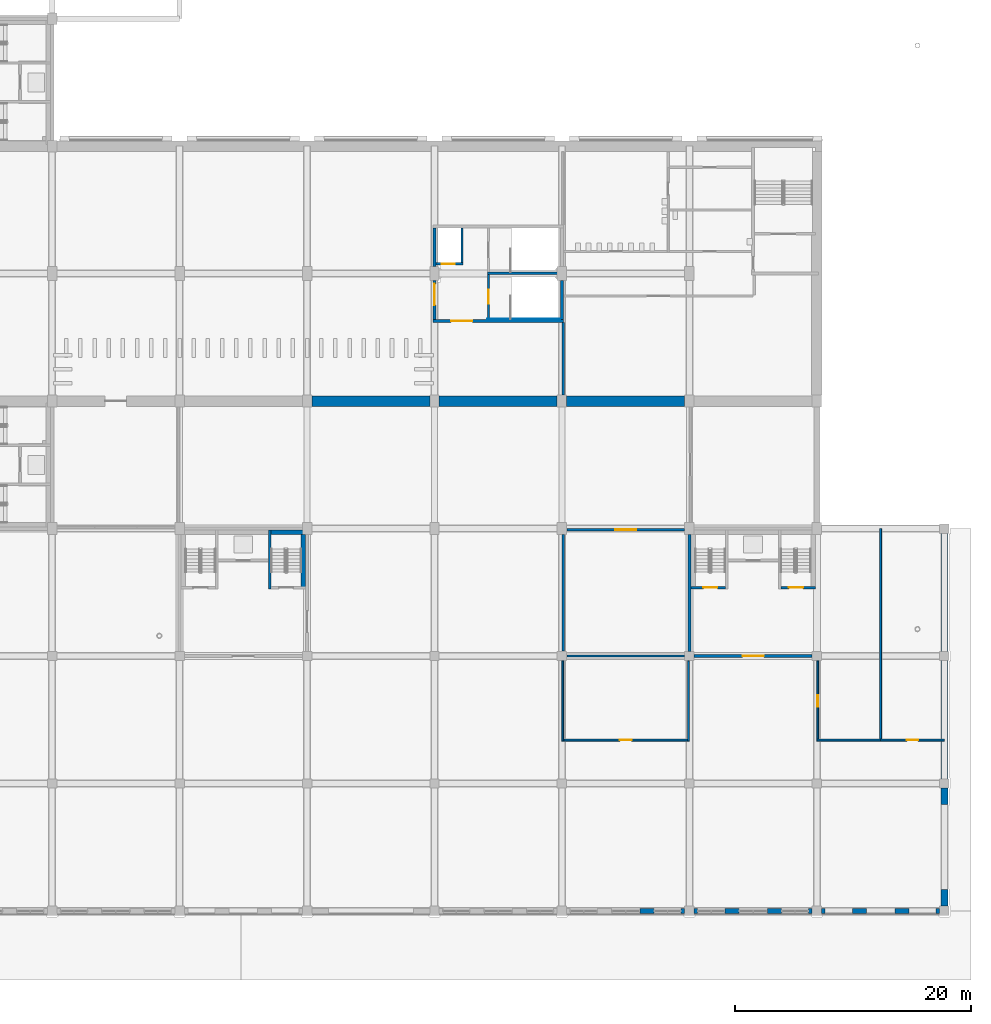
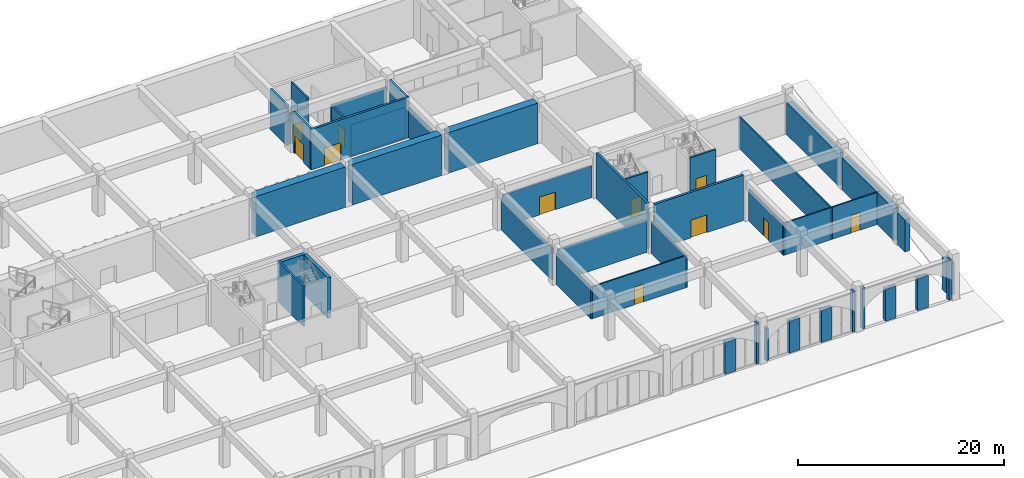
# One storey, part 33 of 101: 44 walls, 11 doors, 11 openings.
"""IFC4 building model written with IfcOpenShell, lengths in metres."""

from ifc_helpers import new_model, si_unit, direction, frame, frame_2d, origin, place, context, subcontext, project, spatial, rectangle, extrude, material, layer, layer_set, type_object, element, fill, save


model = new_model("IFC4")

# Units and contexts
model_context = context("Model", 3, precision=1e-05, world=origin(), true_north=direction((0.0, 1.0)))
body_context = subcontext(model_context, "Body", "Model", "MODEL_VIEW")
ifc_project = project(units=[si_unit("LENGTHUNIT", "METRE"), si_unit("AREAUNIT", "SQUARE_METRE"), si_unit("VOLUMEUNIT", "CUBIC_METRE"), si_unit("PLANEANGLEUNIT", "RADIAN"), si_unit("MASSUNIT", "GRAM", prefix="KILO")], contexts=[model_context])

# Site, building, storey
site_placement = place(None, origin())
site = spatial("IfcSite", under=ifc_project, at=site_placement, CompositionType="ELEMENT")
building_placement = place(site_placement, origin())
building = spatial("IfcBuilding", under=site, at=building_placement, Name="Magnolia Steps Interchange", CompositionType="ELEMENT")
storey_placement = place(building_placement, frame((0.0, 0.0, -5.39990234375)))
storey = spatial("IfcBuildingStorey", under=building, at=storey_placement, Name="B1", CompositionType="ELEMENT", Elevation=-5.39990234375)

# Walls
ifc_material_1 = material(Name="Concrete C40", Category="concrete")
ifc_layer_1 = layer(ifc_material_1, 0.449951171875)
ifc_layer_set_1 = layer_set([ifc_layer_1], Name="Concrete C40 arcade wall 450")
wall_type_1 = type_object("IfcWallType", Name="Concrete C40 arcade wall 450", PredefinedType="SOLIDWALL", material=ifc_layer_set_1)
wall_1_placement = place(storey_placement, frame((167.800048828125, 10.0, 0.0), z_axis=(0.0, 0.0, 1.0), x_axis=(1.0, 0.0, 0.0)))
element("IfcWall", 1, at=wall_1_placement, inside=storey, type_object=wall_type_1, Name="Street arcade pier 59", PredefinedType="SOLIDWALL", context=body_context, shape_type="SweptSolid", body=[
    extrude(rectangle(XDim=1.199951171875, YDim=0.449951171875, at=frame_2d((0.60009765625, 0.0))), origin(), (0.0, 0.0, 1.0), 3.7998046875),
])
wall_2_placement = place(storey_placement, frame((171.300048828125, 10.0, 0.0), z_axis=(0.0, 0.0, 1.0), x_axis=(1.0, 0.0, 0.0)))
element("IfcWall", 2, at=wall_2_placement, inside=storey, type_object=wall_type_1, Name="Street arcade pier 61", PredefinedType="SOLIDWALL", context=body_context, shape_type="SweptSolid", body=[
    extrude(rectangle(XDim=0.300048828125, YDim=0.449951171875, at=frame_2d((0.14990234375, 0.0))), origin(), (0.0, 0.0, 1.0), 4.7998046875),
])
wall_3_placement = place(storey_placement, frame((172.39990234375, 10.0, 0.0), z_axis=(0.0, 0.0, 1.0), x_axis=(1.0, 0.0, 0.0)))
element("IfcWall", 3, at=wall_3_placement, inside=storey, type_object=wall_type_1, Name="Street arcade pier 61", PredefinedType="SOLIDWALL", context=body_context, shape_type="SweptSolid", body=[
    extrude(rectangle(XDim=0.300048828125, YDim=0.449951171875, at=frame_2d((0.14990234375, 0.0))), origin(), (0.0, 0.0, 1.0), 3.7998046875),
])
for number, where, z_axis, x_axis, name in (
    (4, (175.0, 10.0, 0.0), (0.0, 0.0, 1.0), (1.0, 0.0, 0.0), "Street arcade pier 63"),
    (5, (178.60009765625, 10.0, 0.0), (0.0, 0.0, 1.0), (1.0, 0.0, 0.0), "Street arcade pier 65"),
):
    element("IfcWall", number, at=place(storey_placement, frame(where, z_axis=z_axis, x_axis=x_axis)), inside=storey, type_object=wall_type_1, Name=name, PredefinedType="SOLIDWALL", context=body_context, shape_type="SweptSolid", body=[
        extrude(rectangle(XDim=1.199951171875, YDim=0.449951171875, at=frame_2d((0.60009765625, 0.0))), origin(), (0.0, 0.0, 1.0), 3.7998046875),
    ])
wall_4_placement = place(storey_placement, frame((182.10009765625, 10.0, 0.0), z_axis=(0.0, 0.0, 1.0), x_axis=(1.0, 0.0, 0.0)))
element("IfcWall", 6, at=wall_4_placement, inside=storey, type_object=wall_type_1, Name="Street arcade pier 67", PredefinedType="SOLIDWALL", context=body_context, shape_type="SweptSolid", body=[
    extrude(rectangle(XDim=0.2998046875, YDim=0.449951171875, at=frame_2d((0.14990234375, 0.0))), origin(), (0.0, 0.0, 1.0), 4.7998046875),
])
wall_5_placement = place(storey_placement, frame((183.199951171875, 10.0, 0.0), z_axis=(0.0, 0.0, 1.0), x_axis=(1.0, 0.0, 0.0)))
element("IfcWall", 7, at=wall_5_placement, inside=storey, type_object=wall_type_1, Name="Street arcade pier 67", PredefinedType="SOLIDWALL", context=body_context, shape_type="SweptSolid", body=[
    extrude(rectangle(XDim=0.300048828125, YDim=0.449951171875, at=frame_2d((0.14990234375, 0.0))), origin(), (0.0, 0.0, 1.0), 4.7998046875),
])
wall_6_placement = place(storey_placement, frame((185.800048828125, 10.0, 0.0), z_axis=(0.0, 0.0, 1.0), x_axis=(1.0, 0.0, 0.0)))
element("IfcWall", 8, at=wall_6_placement, inside=storey, type_object=wall_type_1, Name="Street arcade pier 69", PredefinedType="SOLIDWALL", context=body_context, shape_type="SweptSolid", body=[
    extrude(rectangle(XDim=1.199951171875, YDim=0.449951171875, at=frame_2d((0.60009765625, 0.0))), origin(), (0.0, 0.0, 1.0), 3.7998046875),
])
wall_7_placement = place(storey_placement, frame((189.39990234375, 10.0, 0.0), z_axis=(0.0, 0.0, 1.0), x_axis=(1.0, 0.0, 0.0)))
element("IfcWall", 9, at=wall_7_placement, inside=storey, type_object=wall_type_1, Name="Street arcade pier 71", PredefinedType="SOLIDWALL", context=body_context, shape_type="SweptSolid", body=[
    extrude(rectangle(XDim=1.2001953125, YDim=0.449951171875, at=frame_2d((0.60009765625, 0.0))), origin(), (0.0, 0.0, 1.0), 3.7998046875),
])
wall_8_placement = place(storey_placement, frame((192.89990234375, 10.0, 0.0), z_axis=(0.0, 0.0, 1.0), x_axis=(1.0, 0.0, 0.0)))
element("IfcWall", 10, at=wall_8_placement, inside=storey, type_object=wall_type_1, Name="Street arcade pier 73", PredefinedType="SOLIDWALL", context=body_context, shape_type="SweptSolid", body=[
    extrude(rectangle(XDim=0.300048828125, YDim=0.449951171875, at=frame_2d((0.14990234375, 0.0))), origin(), (0.0, 0.0, 1.0), 4.7998046875),
])
ifc_material_2 = material(Name="Concrete C40", Category="concrete")
ifc_layer_2 = layer(ifc_material_2, 0.60009765625)
ifc_layer_set_2 = layer_set([ifc_layer_2], Name="Concrete C40 deep retaining wall 600")
wall_type_2 = type_object("IfcWallType", Name="Concrete C40 deep retaining wall 600", PredefinedType="SOLIDWALL", material=ifc_layer_set_2)
wall_9_placement = place(storey_placement, frame((193.60009765625, 10.39990234375, 0.0), z_axis=(0.0, 0.0, 1.0), x_axis=(0.0, 1.0, 0.0)))
element("IfcWall", 11, at=wall_9_placement, inside=storey, type_object=wall_type_2, Name="East wall pier 1", PredefinedType="SOLIDWALL", context=body_context, shape_type="SweptSolid", body=[
    extrude(rectangle(XDim=1.400146484375, YDim=0.60009765625, at=frame_2d((0.7001953125, 0.0))), origin(), (0.0, 0.0, 1.0), 3.7998046875),
])
wall_10_placement = place(storey_placement, frame((193.60009765625, 19.0, 0.0), z_axis=(0.0, 0.0, 1.0), x_axis=(0.0, 1.0, 0.0)))
element("IfcWall", 12, at=wall_10_placement, inside=storey, type_object=wall_type_2, Name="East wall pier 3", PredefinedType="SOLIDWALL", context=body_context, shape_type="SweptSolid", body=[
    extrude(rectangle(XDim=1.39990234375, YDim=0.60009765625, at=frame_2d((0.699951171875, 0.0))), origin(), (0.0, 0.0, 1.0), 3.7998046875),
])
for number, where, z_axis, x_axis, name in (
    (13, (193.60009765625, 21.199951171875, 0.0), (0.0, 0.0, 1.0), (0.0, 1.0, 0.0), "East wall pier 3"),
    (14, (193.60009765625, 32.0, 0.0), (0.0, 0.0, 1.0), (0.0, 1.0, 0.0), "East wall pier 3"),
):
    element("IfcWall", number, at=place(storey_placement, frame(where, z_axis=z_axis, x_axis=x_axis)), inside=storey, type_object=wall_type_2, Name=name, PredefinedType="SOLIDWALL", context=body_context, shape_type="SweptSolid", body=[
        extrude(rectangle(XDim=10.0, YDim=0.60009765625, at=frame_2d((5.0, 0.0))), origin(), (0.0, 0.0, 1.0), 3.7998046875),
    ])
ifc_material_3 = material(Name="Concrete C35", Category="concrete")
ifc_layer_3 = layer(ifc_material_3, 0.199951171875)
ifc_layer_set_3 = layer_set([ifc_layer_3], Name="Core enclosure wall 200")
wall_type_3 = type_object("IfcWallType", Name="Core enclosure wall 200", PredefinedType="SOLIDWALL", material=ifc_layer_set_3)
wall_11_placement = place(storey_placement, frame((154.875, 64.02490234375, 0.0), z_axis=(0.0, 0.0, 1.0), x_axis=(1.0, 0.0, 0.0)))
element("IfcWall", 15, at=wall_11_placement, inside=storey, type_object=wall_type_3, Name="B1 PC3 enclosure wall", PredefinedType="SOLIDWALL", context=body_context, shape_type="SweptSolid", body=[
    extrude(rectangle(XDim=6.199951171875, YDim=0.199951171875, at=frame_2d((3.10009765625, 0.0))), origin(), (0.0, 0.0, 1.0), 3.599853515625),
])

# Wall, opening, door
wall_12_placement = place(storey_placement, frame((154.97509765625, 63.925048828125, 0.0), z_axis=(0.0, 0.0, 1.0), x_axis=(0.0, -1.0, 0.0)))
wall_12 = element("IfcWall", 16, at=wall_12_placement, inside=storey, type_object=wall_type_3, Name="B1 PC3 enclosure wall", PredefinedType="SOLIDWALL", context=body_context, shape_type="SweptSolid", body=[
    extrude(rectangle(XDim=3.800048828125, YDim=0.199951171875, at=frame_2d((1.89990234375, 0.0))), origin(), (0.0, 0.0, 1.0), 3.599853515625),
])
opening_1_placement = place(wall_12_placement, frame((1.27490234375, 0.0, 0.0)))
opening_1 = element("IfcOpeningElement", 17, at=opening_1_placement, cuts=wall_12, Name="Opening D-PC3-B1-2", PredefinedType="OPENING", context=body_context, shape_type="SweptSolid", body=[
    extrude(rectangle(XDim=1.199951171875, YDim=2.10009765625, at=frame_2d((0.60009765625, 1.050048828125))), frame((0.0, 0.10986328125, 0.0), z_axis=(0.0, -1.0, 0.0), x_axis=(1.0, 0.0, 0.0)), (0.0, 0.0, 1.0), 0.219970703125),
])
ifc_material_4 = material(Name="Painted steel", Category="steel")
door_type_1 = type_object("IfcDoorType", Name="Stair fire door 1200x2100", OperationType="NOTDEFINED", PredefinedType="DOOR", material=ifc_material_4)
door_1_placement = place(opening_1_placement, frame((1.199951171875, 0.0, 0.0), z_axis=(0.0, 0.0, 1.0), x_axis=(-1.0, 0.0, 0.0)))
door_1 = element("IfcDoor", 18, at=door_1_placement, inside=storey, type_object=door_type_1, Name="Stair door ST14 B1", OperationType="SINGLE_SWING_RIGHT", OverallHeight=2.10009765625, OverallWidth=1.199951171875, PredefinedType="DOOR", context=body_context, shape_type="SweptSolid", body=[
    extrude(rectangle(XDim=1.199951171875, YDim=2.10009765625, at=frame_2d((0.60009765625, 1.050048828125))), frame((0.0, 0.02490234375, 0.0), z_axis=(0.0, -1.0, 0.0), x_axis=(1.0, 0.0, 0.0)), (0.0, 0.0, 1.0), 0.050048828125),
])
fill(opening_1, door_1)

# Wall
wall_13_placement = place(storey_placement, frame((152.72509765625, 67.875, 0.0), z_axis=(0.0, 0.0, 1.0), x_axis=(0.0, -1.0, 0.0)))
element("IfcWall", 19, at=wall_13_placement, inside=storey, type_object=wall_type_3, Name="B1 PC3 enclosure wall", PredefinedType="SOLIDWALL", context=body_context, shape_type="SweptSolid", body=[
    extrude(rectangle(XDim=3.14990234375, YDim=0.199951171875, at=frame_2d((1.574951171875, 0.0))), origin(), (0.0, 0.0, 1.0), 4.7998046875),
])

# Wall, opening, door
wall_14_placement = place(storey_placement, frame((150.52490234375, 64.824951171875, 0.0), z_axis=(0.0, 0.0, 1.0), x_axis=(1.0, 0.0, 0.0)))
wall_14 = element("IfcWall", 20, at=wall_14_placement, inside=storey, type_object=wall_type_3, Name="B1 PC3 enclosure wall", PredefinedType="SOLIDWALL", context=body_context, shape_type="SweptSolid", body=[
    extrude(rectangle(XDim=2.300048828125, YDim=0.199951171875, at=frame_2d((1.14990234375, 0.0))), origin(), (0.0, 0.0, 1.0), 3.599853515625),
])
opening_2_placement = place(wall_14_placement, frame((0.5, 0.0, 0.0)))
opening_2 = element("IfcOpeningElement", 21, at=opening_2_placement, cuts=wall_14, Name="Opening LD", PredefinedType="OPENING", context=body_context, shape_type="SweptSolid", body=[
    extrude(rectangle(XDim=1.10009765625, YDim=2.10009765625, at=frame_2d((0.550048828125, 1.050048828125))), frame((0.0, 0.10986328125, 0.0), z_axis=(0.0, -1.0, 0.0), x_axis=(1.0, 0.0, 0.0)), (0.0, 0.0, 1.0), 0.219970703125),
])
ifc_material_5 = material(Name="Stainless steel grade 304", Category="steel")
door_type_2 = type_object("IfcDoorType", Name="Lift landing door 1100x2100", OperationType="DOUBLE_DOOR_SLIDING", PredefinedType="DOOR", material=ifc_material_5)
door_2_placement = place(opening_2_placement, frame((1.10009765625, 0.0, 0.0), z_axis=(0.0, 0.0, 1.0), x_axis=(-1.0, 0.0, 0.0)))
door_2 = element("IfcDoor", 22, at=door_2_placement, inside=storey, type_object=door_type_2, Name="Lift landing door LF7 B1", OperationType="DOUBLE_DOOR_SLIDING", OverallHeight=2.10009765625, OverallWidth=1.10009765625, PredefinedType="DOOR", context=body_context, shape_type="SweptSolid", body=[
    extrude(rectangle(XDim=1.10009765625, YDim=2.10009765625, at=frame_2d((0.550048828125, 1.050048828125))), frame((0.0, 0.02490234375, 0.0), z_axis=(0.0, -1.0, 0.0), x_axis=(1.0, 0.0, 0.0)), (0.0, 0.0, 1.0), 0.050048828125),
])
fill(opening_2, door_2)

# Walls
wall_15_placement = place(storey_placement, frame((154.875, 60.14990234375, 0.0), z_axis=(0.0, 0.0, 1.0), x_axis=(1.0, 0.0, 0.0)))
element("IfcWall", 23, at=wall_15_placement, inside=storey, type_object=wall_type_3, Name="B1 PC3 enclosure wall", PredefinedType="SOLIDWALL", context=body_context, shape_type="SweptSolid", body=[
    extrude(rectangle(XDim=6.199951171875, YDim=0.050048828125, at=frame_2d((3.10009765625, 0.0))), origin(), (0.0, 0.0, 1.0), 3.599853515625),
])
wall_16_placement = place(storey_placement, frame((136.449951171875, 37.300048828125, 0.0), z_axis=(0.0, 0.0, 1.0), x_axis=(0.0, 1.0, 0.0)))
element("IfcWall", 24, at=wall_16_placement, inside=storey, type_object=wall_type_3, Name="B1 BC3 enclosure wall", PredefinedType="SOLIDWALL", context=body_context, shape_type="SweptSolid", body=[
    extrude(rectangle(XDim=4.974853515625, YDim=0.199951171875, at=frame_2d((2.4873046875, 0.0))), origin(), (0.0, 0.0, 1.0), 4.7998046875),
])

# Wall, opening, door
wall_17_placement = place(storey_placement, frame((172.125, 37.39990234375, 0.0), z_axis=(0.0, 0.0, 1.0), x_axis=(1.0, 0.0, 0.0)))
wall_17 = element("IfcWall", 25, at=wall_17_placement, inside=storey, type_object=wall_type_3, Name="B1 BC4 enclosure wall", PredefinedType="SOLIDWALL", context=body_context, shape_type="SweptSolid", body=[
    extrude(rectangle(XDim=2.925048828125, YDim=0.199951171875, at=frame_2d((1.46240234375, 0.0))), origin(), (0.0, 0.0, 1.0), 4.7998046875),
])
opening_3_placement = place(wall_17_placement, frame((1.050048828125, 0.0, 0.0)))
opening_3 = element("IfcOpeningElement", 26, at=opening_3_placement, cuts=wall_17, Name="Opening D-BC4-B1-1", PredefinedType="OPENING", context=body_context, shape_type="SweptSolid", body=[
    extrude(rectangle(XDim=1.199951171875, YDim=2.10009765625, at=frame_2d((0.60009765625, 1.050048828125))), frame((0.0, 0.10986328125, 0.0), z_axis=(0.0, -1.0, 0.0), x_axis=(1.0, 0.0, 0.0)), (0.0, 0.0, 1.0), 0.219970703125),
])
door_3_placement = place(opening_3_placement, frame((1.199951171875, 0.0, 0.0), z_axis=(0.0, 0.0, 1.0), x_axis=(-1.0, 0.0, 0.0)))
door_3 = element("IfcDoor", 27, at=door_3_placement, inside=storey, type_object=door_type_1, Name="Stair door ST23 B1", OperationType="SINGLE_SWING_LEFT", OverallHeight=2.10009765625, OverallWidth=1.199951171875, PredefinedType="DOOR", context=body_context, shape_type="SweptSolid", body=[
    extrude(rectangle(XDim=1.199951171875, YDim=2.10009765625, at=frame_2d((0.60009765625, 1.050048828125))), frame((0.0, 0.02490234375, 0.0), z_axis=(0.0, -1.0, 0.0), x_axis=(1.0, 0.0, 0.0)), (0.0, 0.0, 1.0), 0.050048828125),
])
fill(opening_3, door_3)

wall_18_placement = place(storey_placement, frame((179.75, 37.39990234375, 0.0), z_axis=(0.0, 0.0, 1.0), x_axis=(1.0, 0.0, 0.0)))
wall_18 = element("IfcWall", 28, at=wall_18_placement, inside=storey, type_object=wall_type_3, Name="B1 BC4 enclosure wall", PredefinedType="SOLIDWALL", context=body_context, shape_type="SweptSolid", body=[
    extrude(rectangle(XDim=2.925048828125, YDim=0.199951171875, at=frame_2d((1.46240234375, 0.0))), origin(), (0.0, 0.0, 1.0), 4.7998046875),
])
opening_4_placement = place(wall_18_placement, frame((0.675048828125, 0.0, 0.0)))
opening_4 = element("IfcOpeningElement", 29, at=opening_4_placement, cuts=wall_18, Name="Opening D-BC4-B1-2", PredefinedType="OPENING", context=body_context, shape_type="SweptSolid", body=[
    extrude(rectangle(XDim=1.199951171875, YDim=2.10009765625, at=frame_2d((0.60009765625, 1.050048828125))), frame((0.0, 0.10986328125, 0.0), z_axis=(0.0, -1.0, 0.0), x_axis=(1.0, 0.0, 0.0)), (0.0, 0.0, 1.0), 0.219970703125),
])
door_4_placement = place(opening_4_placement, frame((1.199951171875, 0.0, 0.0), z_axis=(0.0, 0.0, 1.0), x_axis=(-1.0, 0.0, 0.0)))
door_4 = element("IfcDoor", 30, at=door_4_placement, inside=storey, type_object=door_type_1, Name="Stair door ST24 B1", OperationType="SINGLE_SWING_RIGHT", OverallHeight=2.10009765625, OverallWidth=1.199951171875, PredefinedType="DOOR", context=body_context, shape_type="SweptSolid", body=[
    extrude(rectangle(XDim=1.199951171875, YDim=2.10009765625, at=frame_2d((0.60009765625, 1.050048828125))), frame((0.0, 0.02490234375, 0.0), z_axis=(0.0, -1.0, 0.0), x_axis=(1.0, 0.0, 0.0)), (0.0, 0.0, 1.0), 0.050048828125),
])
fill(opening_4, door_4)

# Walls
ifc_material_6 = material(Name="Concrete C35", Category="concrete")
ifc_layer_4 = layer(ifc_material_6, 0.375)
ifc_layer_set_4 = layer_set([ifc_layer_4], Name="Core lining wall 375")
wall_type_4 = type_object("IfcWallType", Name="Core lining wall 375", PredefinedType="SOLIDWALL", material=ifc_layer_set_4)
wall_19_placement = place(storey_placement, frame((139.28759765625, 37.300048828125, 0.0), z_axis=(0.0, 0.0, 1.0), x_axis=(0.0, 1.0, 0.0)))
element("IfcWall", 31, at=wall_19_placement, inside=storey, type_object=wall_type_4, Name="B1 BC3 stair lining wall", PredefinedType="SOLIDWALL", context=body_context, shape_type="SweptSolid", body=[
    extrude(rectangle(XDim=4.974853515625, YDim=0.375, at=frame_2d((2.4873046875, 0.0))), origin(), (0.0, 0.0, 1.0), 4.7998046875),
])
wall_20_placement = place(storey_placement, frame((136.550048828125, 42.08740234375, 0.0), z_axis=(0.0, 0.0, 1.0), x_axis=(1.0, 0.0, 0.0)))
element("IfcWall", 32, at=wall_20_placement, inside=storey, type_object=wall_type_4, Name="B1 BC3 stair lining wall", PredefinedType="SOLIDWALL", context=body_context, shape_type="SweptSolid", body=[
    extrude(rectangle(XDim=2.925048828125, YDim=0.375, at=frame_2d((1.46240234375, 0.0))), origin(), (0.0, 0.0, 1.0), 4.7998046875),
])

# Wall, opening, door
ifc_material_7 = material(Name="Concrete C40", Category="concrete")
ifc_layer_5 = layer(ifc_material_7, 0.25)
ifc_layer_set_5 = layer_set([ifc_layer_5], Name="Core wall 250")
wall_type_5 = type_object("IfcWallType", Name="Core wall 250", PredefinedType="SOLIDWALL", material=ifc_layer_set_5)
wall_21_placement = place(storey_placement, frame((150.27490234375, 60.0, 0.0), z_axis=(0.0, 0.0, 1.0), x_axis=(1.0, 0.0, 0.0)))
wall_21 = element("IfcWall", 33, at=wall_21_placement, inside=storey, type_object=wall_type_5, Name="Core wall PC3", PredefinedType="SOLIDWALL", context=body_context, shape_type="SweptSolid", body=[
    extrude(rectangle(XDim=11.050048828125, YDim=0.25, at=frame_2d((5.52490234375, 0.0))), origin(), (0.0, 0.0, 1.0), 4.7998046875),
])
opening_5_placement = place(wall_21_placement, frame((1.52490234375, 0.0, 0.0)))
opening_5 = element("IfcOpeningElement", 34, at=opening_5_placement, cuts=wall_21, Name="Opening D-PC3-B1-4", PredefinedType="OPENING", context=body_context, shape_type="SweptSolid", body=[
    extrude(rectangle(XDim=1.800048828125, YDim=2.10009765625, at=frame_2d((0.89990234375, 1.050048828125))), frame((0.0, 0.135009765625, 0.0), z_axis=(0.0, -1.0, 0.0), x_axis=(1.0, 0.0, 0.0)), (0.0, 0.0, 1.0), 0.27001953125),
])
ifc_material_8 = material(Name="Timber and glass", Category="wood")
door_type_3 = type_object("IfcDoorType", Name="Core entrance door pair 1800x2100", OperationType="DOUBLE_DOOR_DOUBLE_SWING", PredefinedType="DOOR", material=ifc_material_8)
door_5_placement = place(opening_5_placement, frame((1.800048828125, 0.0, 0.0), z_axis=(0.0, 0.0, 1.0), x_axis=(-1.0, 0.0, 0.0)))
door_5 = element("IfcDoor", 35, at=door_5_placement, inside=storey, type_object=door_type_3, Name="Core entrance door PC3 B1", OperationType="DOUBLE_DOOR_DOUBLE_SWING", OverallHeight=2.10009765625, OverallWidth=1.800048828125, PredefinedType="DOOR", context=body_context, shape_type="SweptSolid", body=[
    extrude(rectangle(XDim=1.800048828125, YDim=2.10009765625, at=frame_2d((0.89990234375, 1.050048828125))), frame((0.0, 0.02490234375, 0.0), z_axis=(0.0, -1.0, 0.0), x_axis=(1.0, 0.0, 0.0)), (0.0, 0.0, 1.0), 0.050048828125),
])
fill(opening_5, door_5)

# Walls
for number, where, z_axis, x_axis, name in (
    (36, (161.199951171875, 60.125, 0.0), (0.0, 0.0, 1.0), (0.0, 1.0, 0.0), "Core wall PC3"),
    (37, (150.39990234375, 67.875, 0.0), (0.0, 0.0, 1.0), (0.0, -1.0, 0.0), "Core wall PC3"),
):
    element("IfcWall", number, at=place(storey_placement, frame(where, z_axis=z_axis, x_axis=x_axis)), inside=storey, type_object=wall_type_5, Name=name, PredefinedType="SOLIDWALL", context=body_context, shape_type="SweptSolid", body=[
        extrude(rectangle(XDim=3.27490234375, YDim=0.25, at=frame_2d((1.637451171875, 0.0))), origin(), (0.0, 0.0, 1.0), 4.7998046875),
    ])

# Wall, opening, door
wall_22_placement = place(storey_placement, frame((150.39990234375, 63.39990234375, 0.0), z_axis=(0.0, 0.0, 1.0), x_axis=(0.0, -1.0, 0.0)))
wall_22 = element("IfcWall", 38, at=wall_22_placement, inside=storey, type_object=wall_type_5, Name="Core wall PC3", PredefinedType="SOLIDWALL", context=body_context, shape_type="SweptSolid", body=[
    extrude(rectangle(XDim=3.27490234375, YDim=0.25, at=frame_2d((1.637451171875, 0.0))), origin(), (0.0, 0.0, 1.0), 4.7998046875),
])
opening_6_placement = place(wall_22_placement, frame((0.27490234375, 0.0, 0.0)))
opening_6 = element("IfcOpeningElement", 39, at=opening_6_placement, cuts=wall_22, Name="Opening D-PC3-B1-3", PredefinedType="OPENING", context=body_context, shape_type="SweptSolid", body=[
    extrude(rectangle(XDim=1.800048828125, YDim=2.10009765625, at=frame_2d((0.89990234375, 1.050048828125))), frame((0.0, 0.135009765625, 0.0), z_axis=(0.0, -1.0, 0.0), x_axis=(1.0, 0.0, 0.0)), (0.0, 0.0, 1.0), 0.27001953125),
])
door_6_placement = place(opening_6_placement, frame((1.800048828125, 0.0, 0.0), z_axis=(0.0, 0.0, 1.0), x_axis=(-1.0, 0.0, 0.0)))
door_6 = element("IfcDoor", 40, at=door_6_placement, inside=storey, type_object=door_type_3, Name="Core entrance door PC3 B1", OperationType="DOUBLE_DOOR_DOUBLE_SWING", OverallHeight=2.10009765625, OverallWidth=1.800048828125, PredefinedType="DOOR", context=body_context, shape_type="SweptSolid", body=[
    extrude(rectangle(XDim=1.800048828125, YDim=2.10009765625, at=frame_2d((0.89990234375, 1.050048828125))), frame((0.0, 0.02490234375, 0.0), z_axis=(0.0, -1.0, 0.0), x_axis=(1.0, 0.0, 0.0)), (0.0, 0.0, 1.0), 0.050048828125),
])
fill(opening_6, door_6)

wall_23_placement = place(storey_placement, frame((172.39990234375, 31.60009765625, 0.0), z_axis=(0.0, 0.0, 1.0), x_axis=(1.0, 0.0, 0.0)))
wall_23 = element("IfcWall", 41, at=wall_23_placement, inside=storey, type_object=wall_type_5, Name="Core wall BC4", PredefinedType="SOLIDWALL", context=body_context, shape_type="SweptSolid", body=[
    extrude(rectangle(XDim=10.0, YDim=0.25, at=frame_2d((5.0, 0.0))), origin(), (0.0, 0.0, 1.0), 5.39990234375),
])
opening_7_placement = place(wall_23_placement, frame((4.10009765625, 0.0, 0.0)))
opening_7 = element("IfcOpeningElement", 42, at=opening_7_placement, cuts=wall_23, Name="Opening D-BC4-B1-3", PredefinedType="OPENING", context=body_context, shape_type="SweptSolid", body=[
    extrude(rectangle(XDim=1.800048828125, YDim=2.10009765625, at=frame_2d((0.89990234375, 1.050048828125))), frame((0.0, 0.135009765625, 0.0), z_axis=(0.0, -1.0, 0.0), x_axis=(1.0, 0.0, 0.0)), (0.0, 0.0, 1.0), 0.27001953125),
])
door_7_placement = place(opening_7_placement, frame((1.800048828125, 0.0, 0.0), z_axis=(0.0, 0.0, 1.0), x_axis=(-1.0, 0.0, 0.0)))
door_7 = element("IfcDoor", 43, at=door_7_placement, inside=storey, type_object=door_type_3, Name="Core entrance door BC4 B1", OperationType="DOUBLE_DOOR_DOUBLE_SWING", OverallHeight=2.10009765625, OverallWidth=1.800048828125, PredefinedType="DOOR", context=body_context, shape_type="SweptSolid", body=[
    extrude(rectangle(XDim=1.800048828125, YDim=2.10009765625, at=frame_2d((0.89990234375, 1.050048828125))), frame((0.0, 0.02490234375, 0.0), z_axis=(0.0, -1.0, 0.0), x_axis=(1.0, 0.0, 0.0)), (0.0, 0.0, 1.0), 0.050048828125),
])
fill(opening_7, door_7)

# Walls
wall_24_placement = place(storey_placement, frame((172.0, 41.89990234375, 0.0), z_axis=(0.0, 0.0, 1.0), x_axis=(0.0, -1.0, 0.0)))
element("IfcWall", 44, at=wall_24_placement, inside=storey, type_object=wall_type_5, Name="Core wall BC4", PredefinedType="SOLIDWALL", context=body_context, shape_type="SweptSolid", body=[
    extrude(rectangle(XDim=9.89990234375, YDim=0.25, at=frame_2d((4.949951171875, 0.0))), origin(), (0.0, 0.0, 1.0), 5.39990234375),
])
ifc_material_9 = material(Name="Concrete C40", Category="concrete")
ifc_layer_6 = layer(ifc_material_9, 0.89990234375)
ifc_layer_set_6 = layer_set([ifc_layer_6], Name="Diaphragm wall 900")
wall_type_6 = type_object("IfcWallType", Name="Diaphragm wall 900", PredefinedType="SOLIDWALL", material=ifc_layer_set_6)
for number, where, z_axis, x_axis, name in (
    (45, (140.0, 53.199951171875, 0.0), (0.0, 0.0, 1.0), (1.0, 0.0, 0.0), "Metro box wall S"),
    (46, (150.800048828125, 53.199951171875, 0.0), (0.0, 0.0, 1.0), (1.0, 0.0, 0.0), "Metro box wall S"),
    (47, (161.60009765625, 53.199951171875, 0.0), (0.0, 0.0, 1.0), (1.0, 0.0, 0.0), "Metro box wall S"),
):
    element("IfcWall", number, at=place(storey_placement, frame(where, z_axis=z_axis, x_axis=x_axis)), inside=storey, type_object=wall_type_6, Name=name, PredefinedType="SOLIDWALL", context=body_context, shape_type="SweptSolid", body=[
        extrude(rectangle(XDim=10.0, YDim=0.89990234375, at=frame_2d((5.0, 0.0))), origin(), (0.0, 0.0, 1.0), 4.7998046875),
    ])
ifc_material_10 = material(Name="Fair-faced blockwork", Category="masonry")
ifc_layer_7 = layer(ifc_material_10, 0.199951171875)
ifc_layer_set_7 = layer_set([ifc_layer_7], Name="Fire partition wall 200")
wall_type_7 = type_object("IfcWallType", Name="Fire partition wall 200", PredefinedType="PARTITIONING", material=ifc_layer_set_7)
wall_25_placement = place(storey_placement, frame((161.300048828125, 53.719970703125, 0.0), z_axis=(0.0, 0.0, 1.0), x_axis=(0.0, 1.0, 0.0)))
element("IfcWall", 48, at=wall_25_placement, inside=storey, type_object=wall_type_7, Name="B1 partition 20", PredefinedType="PARTITIONING", context=body_context, shape_type="SweptSolid", body=[
    extrude(rectangle(XDim=6.125, YDim=0.199951171875, at=frame_2d((3.0625, 0.0))), origin(), (0.0, 0.0, 1.0), 3.599853515625),
])

# Wall, opening, door
wall_26_placement = place(storey_placement, frame((161.6201171875, 42.300048828125, 0.0), z_axis=(0.0, 0.0, 1.0), x_axis=(1.0, 0.0, 0.0)))
wall_26 = element("IfcWall", 49, at=wall_26_placement, inside=storey, type_object=wall_type_7, Name="B1 partition 45", PredefinedType="PARTITIONING", context=body_context, shape_type="SweptSolid", body=[
    extrude(rectangle(XDim=9.9599609375, YDim=0.199951171875, at=frame_2d((4.97998046875, 0.0))), origin(), (0.0, 0.0, 1.0), 3.7998046875),
])
opening_8_placement = place(wall_26_placement, frame((4.080078125, 0.0, 0.0)))
opening_8 = element("IfcOpeningElement", 50, at=opening_8_placement, cuts=wall_26, Name="Opening D-B1-27", PredefinedType="OPENING", context=body_context, shape_type="SweptSolid", body=[
    extrude(rectangle(XDim=1.800048828125, YDim=2.10009765625, at=frame_2d((0.89990234375, 1.050048828125))), frame((0.0, 0.10986328125, 0.0), z_axis=(0.0, -1.0, 0.0), x_axis=(1.0, 0.0, 0.0)), (0.0, 0.0, 1.0), 0.219970703125),
])
ifc_material_11 = material(Name="Painted steel", Category="steel")
door_type_4 = type_object("IfcDoorType", Name="Plant room door pair 1800x2100", OperationType="DOUBLE_DOOR_DOUBLE_SWING", PredefinedType="DOOR", material=ifc_material_11)
door_8_placement = place(opening_8_placement, frame((1.800048828125, 0.0, 0.0), z_axis=(0.0, 0.0, 1.0), x_axis=(-1.0, 0.0, 0.0)))
door_8 = element("IfcDoor", 51, at=door_8_placement, inside=storey, type_object=door_type_4, Name="Bus Operations Room door", OperationType="DOUBLE_DOOR_DOUBLE_SWING", OverallHeight=2.10009765625, OverallWidth=1.800048828125, PredefinedType="DOOR", context=body_context, shape_type="SweptSolid", body=[
    extrude(rectangle(XDim=1.800048828125, YDim=2.10009765625, at=frame_2d((0.89990234375, 1.050048828125))), frame((0.0, 0.02490234375, 0.0), z_axis=(0.0, -1.0, 0.0), x_axis=(1.0, 0.0, 0.0)), (0.0, 0.0, 1.0), 0.050048828125),
])
fill(opening_8, door_8)

# Walls
wall_27_placement = place(storey_placement, frame((161.300048828125, 32.02001953125, 0.0), z_axis=(0.0, 0.0, 1.0), x_axis=(0.0, 1.0, 0.0)))
element("IfcWall", 52, at=wall_27_placement, inside=storey, type_object=wall_type_7, Name="B1 partition 61", PredefinedType="PARTITIONING", context=body_context, shape_type="SweptSolid", body=[
    extrude(rectangle(XDim=9.85986328125, YDim=0.199951171875, at=frame_2d((4.929931640625, 0.0))), origin(), (0.0, 0.0, 1.0), 3.7998046875),
])
wall_28_placement = place(storey_placement, frame((161.6201171875, 31.60009765625, 0.0), z_axis=(0.0, 0.0, 1.0), x_axis=(1.0, 0.0, 0.0)))
element("IfcWall", 53, at=wall_28_placement, inside=storey, type_object=wall_type_7, Name="B1 partition 62", PredefinedType="PARTITIONING", context=body_context, shape_type="SweptSolid", body=[
    extrude(rectangle(XDim=9.9599609375, YDim=0.199951171875, at=frame_2d((4.97998046875, 0.0))), origin(), (0.0, 0.0, 1.0), 3.7998046875),
])
ifc_material_12 = material(Name="Fair-faced blockwork", Category="masonry")
ifc_layer_8 = layer(ifc_material_12, 0.14990234375)
ifc_layer_set_8 = layer_set([ifc_layer_8], Name="Partition wall 150")
wall_type_8 = type_object("IfcWallType", Name="Partition wall 150", PredefinedType="PARTITIONING", material=ifc_layer_set_8)
for number, where, z_axis, x_axis, name in (
    (54, (161.27490234375, 24.39990234375, 0.0), (0.0, 0.0, 1.0), (0.0, 1.0, 0.0), "B1 partition 60"),
    (55, (171.925048828125, 24.39990234375, 0.0), (0.0, 0.0, 1.0), (0.0, 1.0, 0.0), "B1 partition 63"),
):
    element("IfcWall", number, at=place(storey_placement, frame(where, z_axis=z_axis, x_axis=x_axis)), inside=storey, type_object=wall_type_8, Name=name, PredefinedType="PARTITIONING", context=body_context, shape_type="SweptSolid", body=[
        extrude(rectangle(XDim=6.780029296875, YDim=0.14990234375, at=frame_2d((3.39013671875, 0.0))), origin(), (0.0, 0.0, 1.0), 3.7998046875),
    ])

# Wall, opening, door
wall_29_placement = place(storey_placement, frame((161.199951171875, 24.47509765625, 0.0), z_axis=(0.0, 0.0, 1.0), x_axis=(1.0, 0.0, 0.0)))
wall_29 = element("IfcWall", 56, at=wall_29_placement, inside=storey, type_object=wall_type_8, Name="B1 partition 64", PredefinedType="PARTITIONING", context=body_context, shape_type="SweptSolid", body=[
    extrude(rectangle(XDim=10.800048828125, YDim=0.14990234375, at=frame_2d((5.39990234375, 0.0))), origin(), (0.0, 0.0, 1.0), 3.7998046875),
])
opening_9_placement = place(wall_29_placement, frame((4.89990234375, 0.0, 0.0)))
opening_9 = element("IfcOpeningElement", 57, at=opening_9_placement, cuts=wall_29, Name="Opening D-B1-28", PredefinedType="OPENING", context=body_context, shape_type="SweptSolid", body=[
    extrude(rectangle(XDim=1.0, YDim=2.10009765625, at=frame_2d((0.5, 1.050048828125))), frame((0.0, 0.0849609375, 0.0), z_axis=(0.0, -1.0, 0.0), x_axis=(1.0, 0.0, 0.0)), (0.0, 0.0, 1.0), 0.169921875),
])
ifc_material_13 = material(Name="Timber", Category="wood")
door_type_5 = type_object("IfcDoorType", Name="Room door 1000x2100", OperationType="NOTDEFINED", PredefinedType="DOOR", material=ifc_material_13)
door_9_placement = place(opening_9_placement, origin())
door_9 = element("IfcDoor", 58, at=door_9_placement, inside=storey, type_object=door_type_5, Name="Lost Property Office door", OperationType="SINGLE_SWING_LEFT", OverallHeight=2.10009765625, OverallWidth=1.0, PredefinedType="DOOR", context=body_context, shape_type="SweptSolid", body=[
    extrude(rectangle(XDim=1.0, YDim=2.10009765625, at=frame_2d((0.5, 1.050048828125))), frame((0.0, 0.02490234375, 0.0), z_axis=(0.0, -1.0, 0.0), x_axis=(1.0, 0.0, 0.0)), (0.0, 0.0, 1.0), 0.050048828125),
])
fill(opening_9, door_9)

# Wall
wall_30_placement = place(storey_placement, frame((182.800048828125, 24.47509765625, 0.0), z_axis=(0.0, 0.0, 1.0), x_axis=(1.0, 0.0, 0.0)))
element("IfcWall", 59, at=wall_30_placement, inside=storey, type_object=wall_type_8, Name="B1 partition 65", PredefinedType="PARTITIONING", context=body_context, shape_type="SweptSolid", body=[
    extrude(rectangle(XDim=5.39990234375, YDim=0.14990234375, at=frame_2d((2.699951171875, 0.0))), origin(), (0.0, 0.0, 1.0), 3.7998046875),
])

# Wall, opening, door
wall_31_placement = place(storey_placement, frame((182.875, 24.39990234375, 0.0), z_axis=(0.0, 0.0, 1.0), x_axis=(0.0, 1.0, 0.0)))
wall_31 = element("IfcWall", 60, at=wall_31_placement, inside=storey, type_object=wall_type_8, Name="B1 partition 66", PredefinedType="PARTITIONING", context=body_context, shape_type="SweptSolid", body=[
    extrude(rectangle(XDim=6.780029296875, YDim=0.14990234375, at=frame_2d((3.39013671875, 0.0))), origin(), (0.0, 0.0, 1.0), 3.7998046875),
])
opening_10_placement = place(wall_31_placement, frame((2.889892578125, 0.0, 0.0)))
opening_10 = element("IfcOpeningElement", 61, at=opening_10_placement, cuts=wall_31, Name="Opening D-B1-29", PredefinedType="OPENING", context=body_context, shape_type="SweptSolid", body=[
    extrude(rectangle(XDim=1.0, YDim=2.10009765625, at=frame_2d((0.5, 1.050048828125))), frame((0.0, 0.0849609375, 0.0), z_axis=(0.0, -1.0, 0.0), x_axis=(1.0, 0.0, 0.0)), (0.0, 0.0, 1.0), 0.169921875),
])
door_10_placement = place(opening_10_placement, frame((1.0, 0.0, 0.0), z_axis=(0.0, 0.0, 1.0), x_axis=(-1.0, 0.0, 0.0)))
door_10 = element("IfcDoor", 62, at=door_10_placement, inside=storey, type_object=door_type_5, Name="Driver Rest Room door", OperationType="SINGLE_SWING_RIGHT", OverallHeight=2.10009765625, OverallWidth=1.0, PredefinedType="DOOR", context=body_context, shape_type="SweptSolid", body=[
    extrude(rectangle(XDim=1.0, YDim=2.10009765625, at=frame_2d((0.5, 1.050048828125))), frame((0.0, 0.02490234375, 0.0), z_axis=(0.0, -1.0, 0.0), x_axis=(1.0, 0.0, 0.0)), (0.0, 0.0, 1.0), 0.050048828125),
])
fill(opening_10, door_10)

# Wall
wall_32_placement = place(storey_placement, frame((188.199951171875, 24.39990234375, 0.0), z_axis=(0.0, 0.0, 1.0), x_axis=(0.0, 1.0, 0.0)))
element("IfcWall", 63, at=wall_32_placement, inside=storey, type_object=wall_type_8, Name="B1 partition 67", PredefinedType="PARTITIONING", context=body_context, shape_type="SweptSolid", body=[
    extrude(rectangle(XDim=18.0, YDim=0.14990234375, at=frame_2d((9.0, 0.0))), origin(), (0.0, 0.0, 1.0), 3.7998046875),
])

# Wall, opening, door
wall_33_placement = place(storey_placement, frame((188.199951171875, 24.47509765625, 0.0), z_axis=(0.0, 0.0, 1.0), x_axis=(1.0, 0.0, 0.0)))
wall_33 = element("IfcWall", 64, at=wall_33_placement, inside=storey, type_object=wall_type_8, Name="B1 partition 68", PredefinedType="PARTITIONING", context=body_context, shape_type="SweptSolid", body=[
    extrude(rectangle(XDim=5.400146484375, YDim=0.14990234375, at=frame_2d((2.7001953125, 0.0))), origin(), (0.0, 0.0, 1.0), 3.7998046875),
])
opening_11_placement = place(wall_33_placement, frame((2.199951171875, 0.0, 0.0)))
opening_11 = element("IfcOpeningElement", 65, at=opening_11_placement, cuts=wall_33, Name="Opening D-B1-30", PredefinedType="OPENING", context=body_context, shape_type="SweptSolid", body=[
    extrude(rectangle(XDim=1.0, YDim=2.10009765625, at=frame_2d((0.5, 1.050048828125))), frame((0.0, 0.0849609375, 0.0), z_axis=(0.0, -1.0, 0.0), x_axis=(1.0, 0.0, 0.0)), (0.0, 0.0, 1.0), 0.169921875),
])
door_11_placement = place(opening_11_placement, origin())
door_11 = element("IfcDoor", 66, at=door_11_placement, inside=storey, type_object=door_type_5, Name="Driver Locker Room door", OperationType="SINGLE_SWING_LEFT", OverallHeight=2.10009765625, OverallWidth=1.0, PredefinedType="DOOR", context=body_context, shape_type="SweptSolid", body=[
    extrude(rectangle(XDim=1.0, YDim=2.10009765625, at=frame_2d((0.5, 1.050048828125))), frame((0.0, 0.02490234375, 0.0), z_axis=(0.0, -1.0, 0.0), x_axis=(1.0, 0.0, 0.0)), (0.0, 0.0, 1.0), 0.050048828125),
])
fill(opening_11, door_11)

save(model, "model.ifc")
